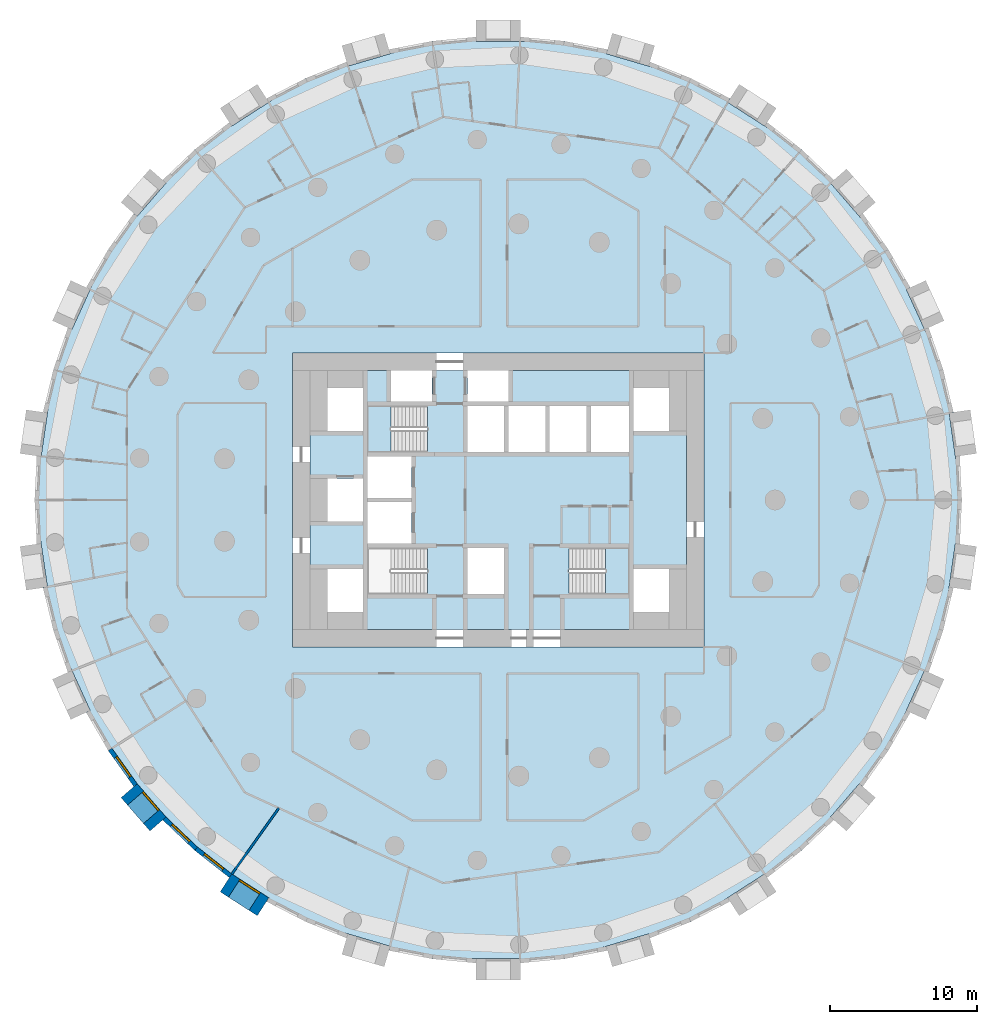
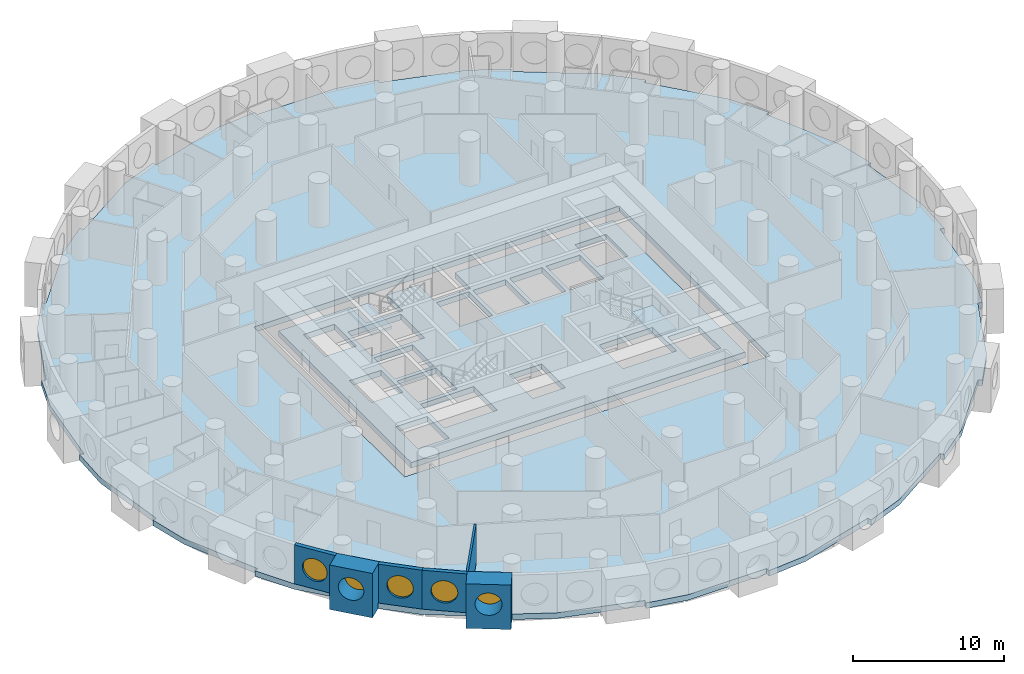
# One storey, part 2 of 12: 6 walls, 5 windows, 4 slabs, 5 openings, 2 elements without a shape of their own.
"""IFC4 building model written with IfcOpenShell, lengths in metres."""

from ifc_helpers import new_model, si_unit, direction, frame, frame_2d, origin, origin_2d, place, context, subcontext, project, spatial, polyline, rectangle, circle, outline, extrude, material, layer, layer_set, type_object, element, fill, aggregate, save


model = new_model("IFC4")

# Units and contexts
model_context = context("Model", 3, precision=1e-05, world=origin(), true_north=direction((0.0, 1.0)))
body_context = subcontext(model_context, "Body", "Model", "MODEL_VIEW")
ifc_project = project(units=[si_unit("LENGTHUNIT", "METRE"), si_unit("AREAUNIT", "SQUARE_METRE"), si_unit("VOLUMEUNIT", "CUBIC_METRE"), si_unit("PLANEANGLEUNIT", "RADIAN"), si_unit("MASSUNIT", "GRAM", prefix="KILO")], contexts=[model_context])

# Site, building, storey
site_placement = place(None, origin())
site = spatial("IfcSite", under=ifc_project, at=site_placement, CompositionType="ELEMENT")
building_placement = place(site_placement, origin())
building = spatial("IfcBuilding", under=site, at=building_placement, Name="Tracery Tower", CompositionType="ELEMENT")
storey_placement = place(building_placement, frame((0.0, 0.0, 111.0)))
storey = spatial("IfcBuildingStorey", under=building, at=storey_placement, Name="L28", CompositionType="ELEMENT", Elevation=111.0)

# Slabs
ifc_material_1 = material(Name="Concrete C60/75", Category="concrete")
ifc_layer_1 = layer(ifc_material_1, 0.449951171875)
ifc_layer_set_1 = layer_set([ifc_layer_1], Name="Core floor slab 450 C60")
slab_type_1 = type_object("IfcSlabType", Name="Core floor slab 450 C60", PredefinedType="FLOOR", material=ifc_layer_set_1)
slab_1_placement = place(storey_placement, frame((0.0, 0.0, -0.449951171875)))
element("IfcSlab", 1, at=slab_1_placement, inside=storey, type_object=slab_type_1, Name="L28 core floor 1", PredefinedType="FLOOR", context=body_context, shape_type="SweptSolid", body=[
    extrude(outline(polyline([(-12.800048828125, 8.800048828125), (-7.300048828125, 8.800048828125), (-7.300048828125, 6.699951171875), (-4.5, 6.699951171875), (-4.5, 8.800048828125), (-2.10009765625, 8.800048828125), (-2.10009765625, 6.699951171875), (0.699951171875, 6.699951171875), (0.699951171875, 8.800048828125), (12.800048828125, 8.800048828125), (12.800048828125, -8.800048828125), (-12.800048828125, -8.800048828125), (-12.800048828125, 8.800048828125)]), holes=[polyline([(11.60009765625, -7.60009765625), (11.60009765625, -4.699951171875), (9.199951171875, -4.699951171875), (9.199951171875, -7.60009765625), (11.60009765625, -7.60009765625)]), polyline([(11.60009765625, 4.699951171875), (11.60009765625, 7.60009765625), (9.199951171875, 7.60009765625), (9.199951171875, 4.699951171875), (11.60009765625, 4.699951171875)]), polyline([(4.800537109375, -3.25), (4.800537109375, -6.39990234375), (8.89990234375, -6.39990234375), (8.89990234375, -3.25), (4.800537109375, -3.25)]), polyline([(6.300048828125, 3.25), (8.89990234375, 3.25), (8.89990234375, 6.39990234375), (6.300048828125, 6.39990234375), (6.300048828125, 3.25)]), polyline([(3.5, 3.25), (6.0, 3.25), (6.0, 6.39990234375), (3.5, 6.39990234375), (3.5, 3.25)]), polyline([(3.199951171875, 3.25), (3.199951171875, 6.39990234375), (0.699951171875, 6.39990234375), (0.699951171875, 3.25), (3.199951171875, 3.25)]), polyline([(-2.10009765625, 3.25), (0.39990234375, 3.25), (0.39990234375, 6.39990234375), (-2.10009765625, 6.39990234375), (-2.10009765625, 3.25)]), polyline([(0.39990234375, -6.39990234375), (0.39990234375, -3.25), (-2.10009765625, -3.25), (-2.10009765625, -6.39990234375), (0.39990234375, -6.39990234375)]), polyline([(-4.800537109375, -3.25), (-8.89990234375, -3.25), (-8.89990234375, -6.39990234375), (-4.800537109375, -6.39990234375), (-4.800537109375, -3.25)]), polyline([(-4.800537109375, 6.39990234375), (-8.89990234375, 6.39990234375), (-8.89990234375, 3.25), (-4.800537109375, 3.25), (-4.800537109375, 6.39990234375)]), polyline([(-8.89990234375, -2.949951171875), (-5.89990234375, -2.949951171875), (-5.89990234375, -0.14990234375), (-8.89990234375, -0.14990234375), (-8.89990234375, -2.949951171875)]), polyline([(-5.89990234375, 0.14990234375), (-5.89990234375, 2.949951171875), (-8.89990234375, 2.949951171875), (-8.89990234375, 0.14990234375), (-5.89990234375, 0.14990234375)]), polyline([(-11.60009765625, 4.699951171875), (-9.199951171875, 4.699951171875), (-9.199951171875, 7.60009765625), (-11.60009765625, 7.60009765625), (-11.60009765625, 4.699951171875)]), polyline([(-9.199951171875, -7.60009765625), (-9.199951171875, -4.699951171875), (-11.60009765625, -4.699951171875), (-11.60009765625, -7.60009765625), (-9.199951171875, -7.60009765625)]), polyline([(-9.199951171875, -1.449951171875), (-9.199951171875, 1.449951171875), (-11.60009765625, 1.449951171875), (-11.60009765625, -1.449951171875), (-9.199951171875, -1.449951171875)])]), origin(), (0.0, 0.0, 1.0), 0.449951171875),
])
ifc_material_2 = material(Name="Concrete C50/60", Category="concrete")
ifc_layer_2 = layer(ifc_material_2, 0.449951171875)
ifc_layer_set_2 = layer_set([ifc_layer_2], Name="Floor slab 450")
slab_type_2 = type_object("IfcSlabType", Name="Floor slab 450", PredefinedType="FLOOR", material=ifc_layer_set_2)
slab_2_placement = place(storey_placement, frame((0.0, 0.0, -0.449951171875)))
element("IfcSlab", 2, at=slab_2_placement, inside=storey, type_object=slab_type_2, Name="Floor slab L28", PredefinedType="FLOOR", context=body_context, shape_type="SweptSolid", body=[
    extrude(outline(polyline([(31.0849609375, 2.953857421875), (31.0849609375, 2.953857421875), (30.673583984375, 5.814697265625), (30.659912109375, 5.9091796875), (30.659912109375, 5.9091796875), (30.657958984375, 5.92333984375), (30.954345703125, 5.966064453125), (30.954833984375, 5.966064453125), (30.24755859375, 8.881591796875), (28.99365234375, 11.591796875), (28.993408203125, 11.591796875), (28.74609375, 12.1337890625), (27.753173828125, 14.307861328125), (27.753173828125, 14.307861328125), (27.747314453125, 14.32080078125), (28.020263671875, 14.4453125), (26.520263671875, 17.04345703125), (24.55322265625, 19.290771484375), (24.55322265625, 19.290771484375), (22.588623046875, 21.55810546875), (22.814697265625, 21.75390625), (22.8154296875, 21.75439453125), (20.644287109375, 23.82470703125), (18.123779296875, 25.4267578125), (18.123779296875, 25.4267578125), (18.12060546875, 25.428955078125), (18.11181640625, 25.4345703125), (15.612060546875, 27.041015625), (15.612060546875, 27.041015625), (15.60009765625, 27.048583984375), (15.76220703125, 27.301025390625), (13.095703125, 28.67578125), (10.226318359375, 29.5029296875), (10.226318359375, 29.5029296875), (7.34765625, 30.34814453125), (7.43212890625, 30.6357421875), (7.43212890625, 30.635986328125), (4.486328125, 31.20361328125), (1.5, 31.18896484375), (1.5, 31.18896484375), (-1.5, 31.18896484375), (-1.5, 31.489013671875), (-4.486328125, 31.20361328125), (-7.34765625, 30.34814453125), (-7.34765625, 30.34814453125), (-10.226318359375, 29.5029296875), (-10.310791015625, 29.790771484375), (-10.310791015625, 29.790771484375), (-13.095703125, 28.67578125), (-15.60009765625, 27.048828125), (-15.60009765625, 27.048583984375), (-15.60888671875, 27.04296875), (-15.612060546875, 27.041015625), (-18.11181640625, 25.4345703125), (-18.11181640625, 25.4345703125), (-18.123779296875, 25.4267578125), (-18.285888671875, 25.6787109375), (-18.2861328125, 25.67919921875), (-20.644287109375, 23.82470703125), (-22.5888671875, 21.55810546875), (-22.588623046875, 21.55810546875), (-24.55322265625, 19.290771484375), (-24.77978515625, 19.487060546875), (-24.780029296875, 19.4873046875), (-26.520263671875, 17.04345703125), (-27.747314453125, 14.32080078125), (-27.747314453125, 14.32080078125), (-27.751708984375, 14.311279296875), (-27.753173828125, 14.307861328125), (-28.74609375, 12.1337890625), (-28.993408203125, 11.591796875), (-29.266357421875, 11.716552734375), (-30.24755859375, 8.881591796875), (-30.657958984375, 5.92333984375), (-30.657958984375, 5.92333984375), (-30.659912109375, 5.909423828125), (-30.659912109375, 5.9091796875), (-30.673583984375, 5.814697265625), (-31.0849609375, 2.953857421875), (-31.381591796875, 2.99658203125), (-31.3818359375, 2.99658203125), (-31.524658203125, 0.0), (-31.0849609375, -2.953857421875), (-31.0849609375, -2.953857421875), (-30.673583984375, -5.814697265625), (-30.659912109375, -5.9091796875), (-30.659912109375, -5.9091796875), (-30.657958984375, -5.92333984375), (-30.954345703125, -5.966064453125), (-30.954833984375, -5.966064453125), (-30.24755859375, -8.881591796875), (-28.99365234375, -11.591796875), (-28.993408203125, -11.591796875), (-28.74609375, -12.1337890625), (-27.753173828125, -14.307861328125), (-27.753173828125, -14.307861328125), (-27.747314453125, -14.32080078125), (-28.020263671875, -14.4453125), (-26.520263671875, -17.04345703125), (-24.55322265625, -19.290771484375), (-24.55322265625, -19.290771484375), (-22.588623046875, -21.55810546875), (-22.814697265625, -21.75390625), (-22.8154296875, -21.75439453125), (-20.644287109375, -23.82470703125), (-18.123779296875, -25.4267578125), (-18.123779296875, -25.4267578125), (-18.12060546875, -25.428955078125), (-18.11181640625, -25.4345703125), (-15.612060546875, -27.041015625), (-15.612060546875, -27.041015625), (-15.60009765625, -27.048583984375), (-15.76220703125, -27.301025390625), (-13.095703125, -28.67578125), (-10.226318359375, -29.5029296875), (-10.226318359375, -29.5029296875), (-7.34765625, -30.34814453125), (-7.43212890625, -30.6357421875), (-7.43212890625, -30.635986328125), (-4.486328125, -31.20361328125), (-1.5, -31.18896484375), (-1.5, -31.18896484375), (1.5, -31.18896484375), (1.5, -31.489013671875), (4.486328125, -31.20361328125), (7.34765625, -30.34814453125), (7.34765625, -30.34814453125), (10.226318359375, -29.5029296875), (10.310791015625, -29.790771484375), (10.310791015625, -29.790771484375), (13.095703125, -28.67578125), (15.60009765625, -27.048828125), (15.60009765625, -27.048583984375), (15.60888671875, -27.04296875), (15.612060546875, -27.041015625), (18.11181640625, -25.4345703125), (18.11181640625, -25.4345703125), (18.123779296875, -25.4267578125), (18.285888671875, -25.6787109375), (18.2861328125, -25.67919921875), (20.644287109375, -23.82470703125), (22.5888671875, -21.55810546875), (22.588623046875, -21.55810546875), (24.55322265625, -19.290771484375), (24.77978515625, -19.487060546875), (24.780029296875, -19.4873046875), (26.520263671875, -17.04345703125), (27.747314453125, -14.32080078125), (27.747314453125, -14.32080078125), (27.751708984375, -14.311279296875), (27.753173828125, -14.307861328125), (28.74609375, -12.1337890625), (28.993408203125, -11.591796875), (29.266357421875, -11.716552734375), (30.24755859375, -8.881591796875), (30.657958984375, -5.92333984375), (30.657958984375, -5.92333984375), (30.659912109375, -5.909423828125), (30.659912109375, -5.9091796875), (30.673583984375, -5.814697265625), (31.0849609375, -2.953857421875), (31.381591796875, -2.99658203125), (31.3818359375, -2.99658203125), (31.524658203125, 0.0), (31.0849609375, 2.953857421875)]), holes=[polyline([(-14.0, -10.0), (14.0, -10.0), (14.0, 10.0), (-14.0, 10.0), (-14.0, -10.0)])]), origin(), (0.0, 0.0, 1.0), 0.449951171875),
])

# Stair, slab
ifc_material_3 = material(Name="Concrete C32/40", Category="concrete")
stair_type = type_object("IfcStairType", Name="Core stair 22 risers", PredefinedType="HALF_TURN_STAIR", material=ifc_material_3)
stair_1_placement = place(storey_placement, origin())
stair_1 = element("IfcStair", 3, at=stair_1_placement, inside=storey, type_object=stair_type, Name="L28 stair ST3", PredefinedType="HALF_TURN_STAIR")
ifc_material_4 = material(Name="Concrete C32/40", Category="concrete")
ifc_layer_3 = layer(ifc_material_4, 0.199951171875)
ifc_layer_set_3 = layer_set([ifc_layer_3], Name="Stair landing slab 200")
slab_type_3 = type_object("IfcSlabType", Name="Stair landing slab 200", PredefinedType="LANDING", material=ifc_layer_set_3)
slab_3_placement = place(storey_placement, frame((0.0, 0.0, 1.60009765625)))
slab_3 = element("IfcSlab", 4, at=slab_3_placement, type_object=slab_type_3, Name="ST3 landing 1", PredefinedType="LANDING", context=body_context, shape_type="SweptSolid", body=[
    extrude(outline(polyline([(-7.29931640625, 6.39990234375), (-8.89990234375, 6.39990234375), (-8.89990234375, 3.25), (-7.29931640625, 3.25), (-7.29931640625, 6.39990234375)])), origin(), (0.0, 0.0, 1.0), 0.199951171875),
])
aggregate(stair_1, [slab_3])

stair_2_placement = place(storey_placement, origin())
stair_2 = element("IfcStair", 5, at=stair_2_placement, inside=storey, type_object=stair_type, Name="L28 stair ST2", PredefinedType="HALF_TURN_STAIR")
slab_4_placement = place(storey_placement, frame((0.0, 0.0, 1.60009765625)))
slab_4 = element("IfcSlab", 6, at=slab_4_placement, type_object=slab_type_3, Name="ST2 landing 1", PredefinedType="LANDING", context=body_context, shape_type="SweptSolid", body=[
    extrude(outline(polyline([(7.29931640625, -6.39990234375), (8.89990234375, -6.39990234375), (8.89990234375, -3.25), (7.29931640625, -3.25), (7.29931640625, -6.39990234375)])), origin(), (0.0, 0.0, 1.0), 0.199951171875),
])
aggregate(stair_2, [slab_4])

# Wall, opening, window
ifc_material_5 = material(Name="Precast concrete C50/60", Category="concrete")
ifc_layer_4 = layer(ifc_material_5, 1.449951171875)
ifc_layer_set_4 = layer_set([ifc_layer_4], Name="Deep-set bay unit 3000 x 3600, slab edge 450")
wall_type_1 = type_object("IfcWallType", Name="Deep-set bay unit 3000 x 3600, slab edge 450", PredefinedType="ELEMENTEDWALL", material=ifc_layer_set_4)
wall_1_placement = place(storey_placement, frame((-25.101318359375, -19.765625, -0.449951171875), z_axis=(0.0, 0.0, 1.0), x_axis=(0.654890259022, -0.75572398972, 0.0)))
wall_1 = element("IfcWall", 7, at=wall_1_placement, inside=storey, type_object=wall_type_1, Name="Deep-set bay unit 41 at L28", PredefinedType="ELEMENTEDWALL", context=body_context, shape_type="SweptSolid", body=[
    extrude(rectangle(XDim=3.0, YDim=1.449951171875, at=frame_2d((1.5, 0.0))), origin(), (0.0, 0.0, 1.0), 3.599853515625),
])
opening_1_placement = place(wall_1_placement, frame((1.5, 0.0, 2.0)))
opening_1 = element("IfcOpeningElement", 8, at=opening_1_placement, cuts=wall_1, Name="Opening WN1", PredefinedType="OPENING", context=body_context, shape_type="SweptSolid", body=[
    extrude(circle(Radius=0.9000244140625, at=origin_2d()), frame((0.0, 0.73486328125, 0.0), z_axis=(0.0, -1.0, 0.0), x_axis=(1.0, 0.0, 0.0)), (0.0, 0.0, 1.0), 1.469970703125),
])
ifc_material_6 = material(Name="Aluminium frame with tinted double glazing", Category="aluminium")
window_type = type_object("IfcWindowType", Name="Round window 1800", PartitioningType="SINGLE_PANEL", PredefinedType="WINDOW", material=ifc_material_6)
window_1_placement = place(opening_1_placement, origin())
window_1 = element("IfcWindow", 9, at=window_1_placement, inside=storey, type_object=window_type, Name="Round window 41 at L28", OverallHeight=1.800048828125, OverallWidth=1.800048828125, PartitioningType="SINGLE_PANEL", PredefinedType="WINDOW", context=body_context, shape_type="SweptSolid", body=[
    extrude(circle(Radius=0.9000244140625, at=origin_2d()), frame((0.0, 0.69482421875, 0.0), z_axis=(0.0, -1.0, 0.0), x_axis=(1.0, 0.0, 0.0)), (0.0, 0.0, 1.0), 0.10009765625),
])
fill(opening_1, window_1)

wall_2_placement = place(storey_placement, frame((-18.515869140625, -26.03662109375, -0.449951171875), z_axis=(0.0, 0.0, 1.0), x_axis=(0.841223422347, -0.540687667415, 0.0)))
wall_2 = element("IfcWall", 10, at=wall_2_placement, inside=storey, type_object=wall_type_1, Name="Deep-set bay unit 44 at L28", PredefinedType="ELEMENTEDWALL", context=body_context, shape_type="SweptSolid", body=[
    extrude(rectangle(XDim=3.0, YDim=1.449951171875, at=frame_2d((1.5, 0.0))), origin(), (0.0, 0.0, 1.0), 3.599853515625),
])
opening_2_placement = place(wall_2_placement, frame((1.5, 0.0, 2.0)))
opening_2 = element("IfcOpeningElement", 11, at=opening_2_placement, cuts=wall_2, Name="Opening WN1", PredefinedType="OPENING", context=body_context, shape_type="SweptSolid", body=[
    extrude(circle(Radius=0.9000244140625, at=origin_2d()), frame((0.0, 0.73486328125, 0.0), z_axis=(0.0, -1.0, 0.0), x_axis=(1.0, 0.0, 0.0)), (0.0, 0.0, 1.0), 1.469970703125),
])
window_2_placement = place(opening_2_placement, origin())
window_2 = element("IfcWindow", 12, at=window_2_placement, inside=storey, type_object=window_type, Name="Round window 44 at L28", OverallHeight=1.800048828125, OverallWidth=1.800048828125, PartitioningType="SINGLE_PANEL", PredefinedType="WINDOW", context=body_context, shape_type="SweptSolid", body=[
    extrude(circle(Radius=0.9000244140625, at=origin_2d()), frame((0.0, 0.69482421875, 0.0), z_axis=(0.0, -1.0, 0.0), x_axis=(1.0, 0.0, 0.0)), (0.0, 0.0, 1.0), 0.10009765625),
])
fill(opening_2, window_2)

ifc_material_7 = material(Name="Precast concrete C50/60", Category="concrete")
ifc_layer_5 = layer(ifc_material_7, 0.300048828125)
ifc_layer_set_5 = layer_set([ifc_layer_5], Name="Facade panel 3000 x 3150")
wall_type_2 = type_object("IfcWallType", Name="Facade panel 3000 x 3150", PredefinedType="SOLIDWALL", material=ifc_layer_set_5)
wall_3_placement = place(storey_placement, frame((-26.393798828125, -16.96240234375, 0.0), z_axis=(0.0, 0.0, 1.0), x_axis=(0.580059407678, -0.81457417315, 0.0)))
wall_3 = element("IfcWall", 13, at=wall_3_placement, inside=storey, type_object=wall_type_2, Name="Facade panel 40 at L28", PredefinedType="SOLIDWALL", context=body_context, shape_type="SweptSolid", body=[
    extrude(rectangle(XDim=2.9794921875, YDim=0.300048828125, at=frame_2d((1.48974609375, 0.0))), origin(), (0.0, 0.0, 1.0), 3.14990234375),
])
opening_3_placement = place(wall_3_placement, frame((1.48974609375, 0.0, 1.5498046875)))
opening_3 = element("IfcOpeningElement", 14, at=opening_3_placement, cuts=wall_3, Name="Opening WN1", PredefinedType="OPENING", context=body_context, shape_type="SweptSolid", body=[
    extrude(circle(Radius=0.9000244140625, at=origin_2d()), frame((0.0, 0.159912109375, 0.0), z_axis=(0.0, -1.0, 0.0), x_axis=(1.0, 0.0, 0.0)), (0.0, 0.0, 1.0), 0.320068359375),
])
window_3_placement = place(opening_3_placement, origin())
window_3 = element("IfcWindow", 15, at=window_3_placement, inside=storey, type_object=window_type, Name="Round window 40 at L28", OverallHeight=1.800048828125, OverallWidth=1.800048828125, PartitioningType="SINGLE_PANEL", PredefinedType="WINDOW", context=body_context, shape_type="SweptSolid", body=[
    extrude(circle(Radius=0.9000244140625, at=origin_2d()), frame((0.0, 0.1201171875, 0.0), z_axis=(0.0, -1.0, 0.0), x_axis=(1.0, 0.0, 0.0)), (0.0, 0.0, 1.0), 0.10009765625),
])
fill(opening_3, window_3)

wall_4_placement = place(storey_placement, frame((-22.702392578125, -21.655029296875, 0.0), z_axis=(0.0, 0.0, 1.0), x_axis=(0.723744206617, -0.690068346896, 0.0)))
wall_4 = element("IfcWall", 16, at=wall_4_placement, inside=storey, type_object=wall_type_2, Name="Facade panel 42 at L28", PredefinedType="SOLIDWALL", context=body_context, shape_type="SweptSolid", body=[
    extrude(rectangle(XDim=2.979736328125, YDim=0.300048828125, at=frame_2d((1.48974609375, 0.0))), origin(), (0.0, 0.0, 1.0), 3.14990234375),
])
opening_4_placement = place(wall_4_placement, frame((1.48974609375, 0.0, 1.5498046875)))
opening_4 = element("IfcOpeningElement", 17, at=opening_4_placement, cuts=wall_4, Name="Opening WN1", PredefinedType="OPENING", context=body_context, shape_type="SweptSolid", body=[
    extrude(circle(Radius=0.9000244140625, at=origin_2d()), frame((0.0, 0.159912109375, 0.0), z_axis=(0.0, -1.0, 0.0), x_axis=(1.0, 0.0, 0.0)), (0.0, 0.0, 1.0), 0.320068359375),
])
window_4_placement = place(opening_4_placement, origin())
window_4 = element("IfcWindow", 18, at=window_4_placement, inside=storey, type_object=window_type, Name="Round window 42 at L28", OverallHeight=1.800048828125, OverallWidth=1.800048828125, PartitioningType="SINGLE_PANEL", PredefinedType="WINDOW", context=body_context, shape_type="SweptSolid", body=[
    extrude(circle(Radius=0.9000244140625, at=origin_2d()), frame((0.0, 0.1201171875, 0.0), z_axis=(0.0, -1.0, 0.0), x_axis=(1.0, 0.0, 0.0)), (0.0, 0.0, 1.0), 0.10009765625),
])
fill(opening_4, window_4)

wall_5_placement = place(storey_placement, frame((-20.5458984375, -23.711181640625, 0.0), z_axis=(0.0, 0.0, 1.0), x_axis=(0.786045331304, -0.618168858108, 0.0)))
wall_5 = element("IfcWall", 19, at=wall_5_placement, inside=storey, type_object=wall_type_2, Name="Facade panel 43 at L28", PredefinedType="SOLIDWALL", context=body_context, shape_type="SweptSolid", body=[
    extrude(rectangle(XDim=2.979736328125, YDim=0.300048828125, at=frame_2d((1.48974609375, 0.0))), origin(), (0.0, 0.0, 1.0), 3.14990234375),
])
opening_5_placement = place(wall_5_placement, frame((1.48974609375, 0.0, 1.5498046875)))
opening_5 = element("IfcOpeningElement", 20, at=opening_5_placement, cuts=wall_5, Name="Opening WN1", PredefinedType="OPENING", context=body_context, shape_type="SweptSolid", body=[
    extrude(circle(Radius=0.9000244140625, at=origin_2d()), frame((0.0, 0.159912109375, 0.0), z_axis=(0.0, -1.0, 0.0), x_axis=(1.0, 0.0, 0.0)), (0.0, 0.0, 1.0), 0.320068359375),
])
window_5_placement = place(opening_5_placement, origin())
window_5 = element("IfcWindow", 21, at=window_5_placement, inside=storey, type_object=window_type, Name="Round window 43 at L28", OverallHeight=1.800048828125, OverallWidth=1.800048828125, PartitioningType="SINGLE_PANEL", PredefinedType="WINDOW", context=body_context, shape_type="SweptSolid", body=[
    extrude(circle(Radius=0.9000244140625, at=origin_2d()), frame((0.0, 0.1201171875, 0.0), z_axis=(0.0, -1.0, 0.0), x_axis=(1.0, 0.0, 0.0)), (0.0, 0.0, 1.0), 0.10009765625),
])
fill(opening_5, window_5)

# Wall
ifc_material_8 = material(Name="Plasterboard on steel studs", Category="steel")
ifc_layer_6 = layer(ifc_material_8, 0.14990234375)
ifc_layer_set_6 = layer_set([ifc_layer_6], Name="Partition 150 acoustic unit wall")
wall_type_3 = type_object("IfcWallType", Name="Partition 150 acoustic unit wall", PredefinedType="PARTITIONING", material=ifc_layer_set_6)
wall_6_placement = place(storey_placement, frame((-18.112060546875, -25.43505859375, 0.0), z_axis=(0.0, 0.0, 1.0), x_axis=(0.580004598464, 0.81461320009, 0.0)))
element("IfcWall", 22, at=wall_6_placement, inside=storey, type_object=wall_type_3, Name="Unit wall RA8-112", PredefinedType="PARTITIONING", context=body_context, shape_type="SweptSolid", body=[
    extrude(rectangle(XDim=5.507080078125, YDim=0.14990234375, at=frame_2d((2.75341796875, 0.0))), origin(), (0.0, 0.0, 1.0), 3.14990234375),
])

save(model, "model.ifc")
